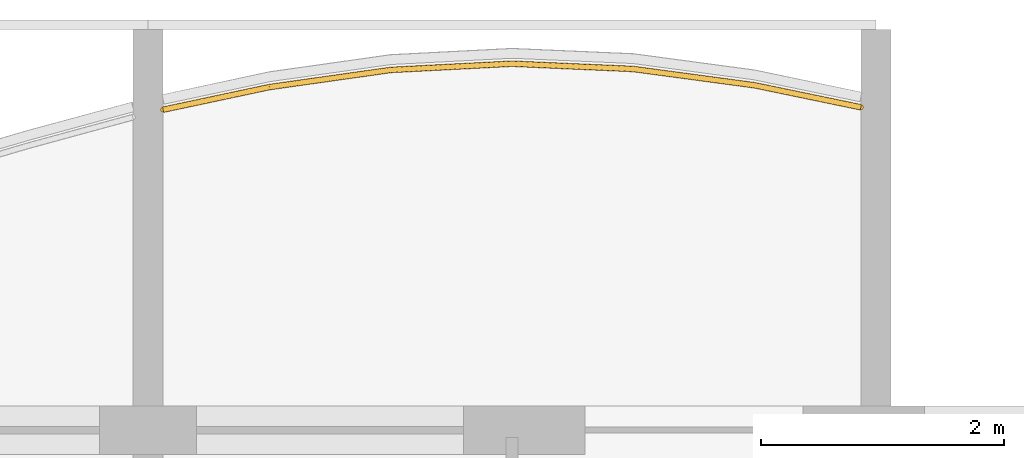
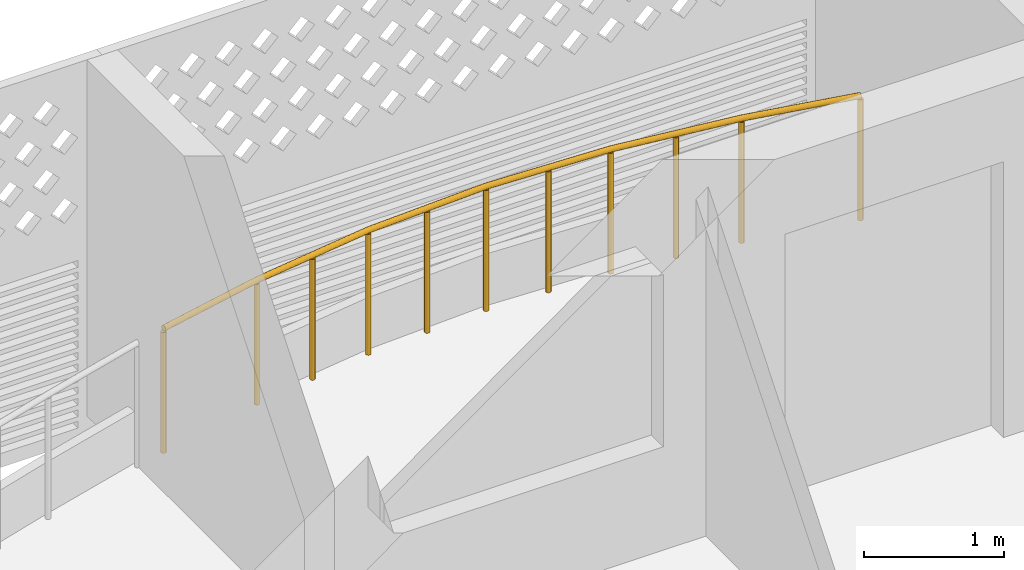
# One storey, part 17 of 28: 1 railing.
"""IFC4 building model written with IfcOpenShell, lengths in metres."""

from ifc_helpers import new_model, si_unit, direction, frame, origin, origin_2d, place, context, subcontext, project, spatial, circle, extrude, material, type_object, element, save


model = new_model("IFC4")

# Units and contexts
model_context = context("Model", 3, precision=1e-05, world=origin(), true_north=direction((0.0, 1.0)))
body_context = subcontext(model_context, "Body", "Model", "MODEL_VIEW")
ifc_project = project(units=[si_unit("LENGTHUNIT", "METRE"), si_unit("AREAUNIT", "SQUARE_METRE"), si_unit("VOLUMEUNIT", "CUBIC_METRE"), si_unit("PLANEANGLEUNIT", "RADIAN"), si_unit("MASSUNIT", "GRAM", prefix="KILO")], contexts=[model_context])

# Site, building, storey
site_placement = place(None, origin())
site = spatial("IfcSite", under=ifc_project, at=site_placement, CompositionType="ELEMENT")
building_placement = place(site_placement, origin())
building = spatial("IfcBuilding", under=site, at=building_placement, Name="Poui Terraces", CompositionType="ELEMENT")
storey_placement = place(building_placement, frame((0.0, 0.0, 185.10009765625)))
storey = spatial("IfcBuildingStorey", under=building, at=storey_placement, Name="L51", CompositionType="ELEMENT", Elevation=185.10009765625)

# Railing
ifc_material = material(Name="Painted steel fretwork", Category="steel")
railing_type = type_object("IfcRailingType", Name="BALCONY GUARD 1100", PredefinedType="GUARDRAIL", material=ifc_material)
railing_placement = place(storey_placement, frame((30.125, 43.8408203125, 0.0)))
element("IfcRailing", 1, at=railing_placement, inside=storey, type_object=railing_type, Name="BALCONY GUARD", PredefinedType="GUARDRAIL", context=body_context, shape_type="SweptSolid", body=[
    extrude(circle(Radius=0.02392578125, at=origin_2d()), frame((0.0, 0.0, 1.076171875), z_axis=(0.978081102003, 0.208224297106, 0.0), x_axis=(-0.208224297106, 0.978081102003, 0.0)), (0.0, 0.0, 1.0), 0.89453125),
    extrude(circle(Radius=0.02392578125, at=origin_2d()), frame((0.875, 0.186279296875, 1.076171875), z_axis=(0.99015631817, 0.13996594439, 0.0), x_axis=(-0.13996594439, 0.99015631817, 0.0)), (0.0, 0.0, 1.0), 1.010009765625),
    extrude(circle(Radius=0.02392578125, at=origin_2d()), frame((1.875, 0.32763671875, 1.076171875), z_axis=(0.998675805692, 0.051445457764, 0.0), x_axis=(-0.051445457764, 0.998675805692, 0.0)), (0.0, 0.0, 1.0), 1.001220703125),
    extrude(circle(Radius=0.02392578125, at=origin_2d()), frame((2.875, 0.379150390625, 1.076171875), z_axis=(0.999046469355, -0.043659501468, 0.0), x_axis=(0.043659501468, 0.999046469355, 0.0)), (0.0, 0.0, 1.0), 1.0009765625),
    extrude(circle(Radius=0.02392578125, at=origin_2d()), frame((3.875, 0.33544921875, 1.076171875), z_axis=(0.991104904979, -0.133082934018, 0.0), x_axis=(0.133082934018, 0.991104904979, 0.0)), (0.0, 0.0, 1.0), 1.009033203125),
    extrude(circle(Radius=0.02392578125, at=origin_2d()), frame((4.875, 0.201171875, 1.076171875), z_axis=(0.979179968629, -0.202994061577, 0.0), x_axis=(0.202994061577, 0.979179968629, 0.0)), (0.0, 0.0, 1.0), 0.8935546875),
    extrude(circle(Radius=0.02099609375, at=origin_2d()), origin(), (0.0, 0.0, 1.0), 1.052001953125),
    extrude(circle(Radius=0.02099609375, at=origin_2d()), frame((0.875, 0.186279296875, 0.0)), (0.0, 0.0, 1.0), 1.052001953125),
    extrude(circle(Radius=0.02099609375, at=origin_2d()), frame((1.375, 0.2568359375, 0.0)), (0.0, 0.0, 1.0), 1.052001953125),
    extrude(circle(Radius=0.02099609375, at=origin_2d()), frame((1.875, 0.32763671875, 0.0)), (0.0, 0.0, 1.0), 1.052001953125),
    extrude(circle(Radius=0.02099609375, at=origin_2d()), frame((2.375, 0.353515625, 0.0)), (0.0, 0.0, 1.0), 1.052001953125),
    extrude(circle(Radius=0.02099609375, at=origin_2d()), frame((2.875, 0.379150390625, 0.0)), (0.0, 0.0, 1.0), 1.052001953125),
    extrude(circle(Radius=0.02099609375, at=origin_2d()), frame((3.375, 0.357421875, 0.0)), (0.0, 0.0, 1.0), 1.052001953125),
    extrude(circle(Radius=0.02099609375, at=origin_2d()), frame((3.875, 0.33544921875, 0.0)), (0.0, 0.0, 1.0), 1.052001953125),
    extrude(circle(Radius=0.02099609375, at=origin_2d()), frame((4.375, 0.268310546875, 0.0)), (0.0, 0.0, 1.0), 1.052001953125),
    extrude(circle(Radius=0.02099609375, at=origin_2d()), frame((4.875, 0.201171875, 0.0)), (0.0, 0.0, 1.0), 1.052001953125),
    extrude(circle(Radius=0.02099609375, at=origin_2d()), frame((5.75, 0.019775390625, 0.0)), (0.0, 0.0, 1.0), 1.052001953125),
])

save(model, "model.ifc")
